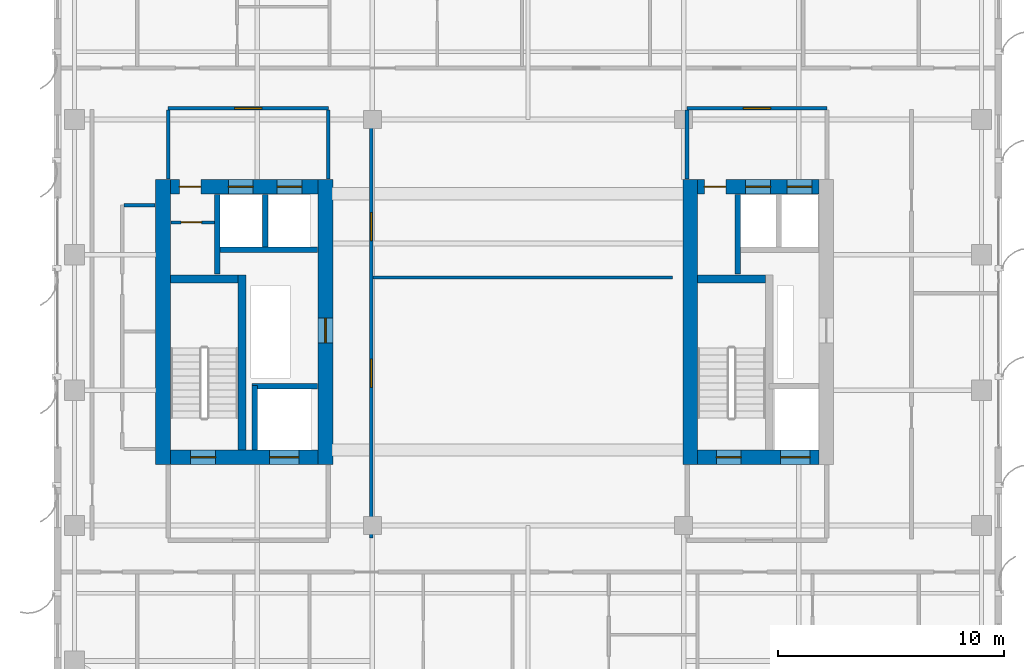
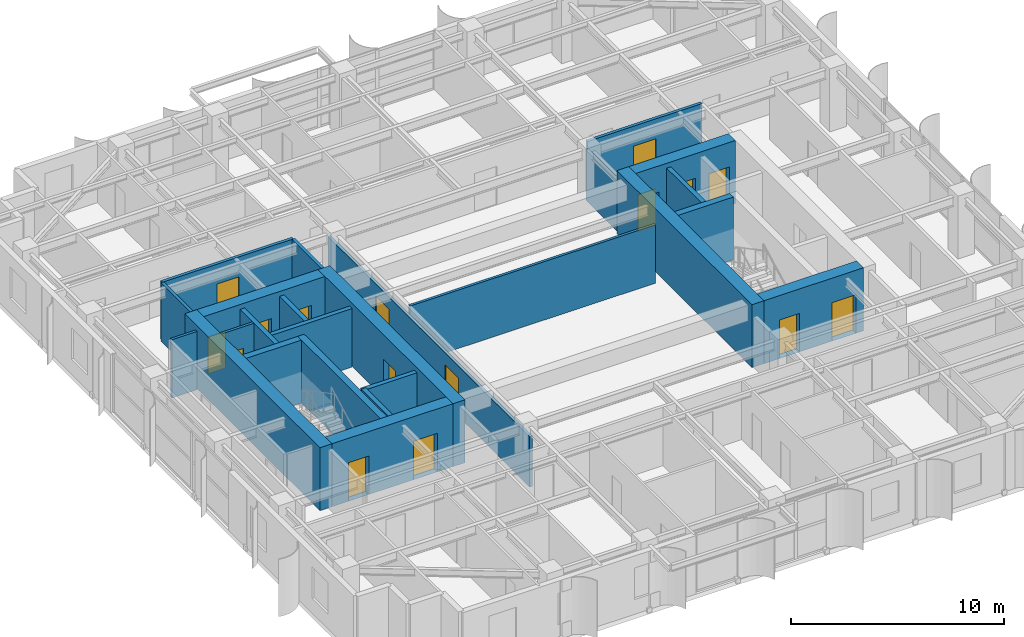
# One storey, part 15 of 21: 25 walls, 16 doors, 16 openings.
"""IFC4 building model written with IfcOpenShell, lengths in metres."""

from ifc_helpers import new_model, si_unit, direction, frame, frame_2d, origin, place, context, subcontext, project, spatial, rectangle, extrude, source, transform, mapped, material, layer, layer_set, type_object, element, fill, save


model = new_model("IFC4")

# Units and contexts
model_context = context("Model", 3, precision=1e-05, world=origin(), true_north=direction((0.0, 1.0)))
body_context = subcontext(model_context, "Body", "Model", "MODEL_VIEW")
ifc_project = project(units=[si_unit("LENGTHUNIT", "METRE"), si_unit("AREAUNIT", "SQUARE_METRE"), si_unit("VOLUMEUNIT", "CUBIC_METRE"), si_unit("PLANEANGLEUNIT", "RADIAN"), si_unit("MASSUNIT", "GRAM", prefix="KILO")], contexts=[model_context])

# Site, building, storey
site_placement = place(None, origin())
site = spatial("IfcSite", under=ifc_project, at=site_placement, CompositionType="ELEMENT")
building_placement = place(site_placement, origin())
building = spatial("IfcBuilding", under=site, at=building_placement, Name="Khoralis Quay Care Tower", CompositionType="ELEMENT")
storey_placement = place(building_placement, frame((0.0, 0.0, 159.300048828125)))
storey = spatial("IfcBuildingStorey", under=building, at=storey_placement, Name="L41", CompositionType="ELEMENT", Elevation=159.300048828125)

# Wall
ifc_material_1 = material(Name="Concrete C65/80", Category="concrete")
ifc_layer_1 = layer(ifc_material_1, 0.64990234375)
ifc_layer_set_1 = layer_set([ifc_layer_1], Name="Concrete C65/80")
wall_type_1 = type_object("IfcWallType", Name="WL-CORE-650", PredefinedType="SHEAR", material=ifc_layer_set_1)
wall_1_placement = place(storey_placement, frame((7.824951171875, 14.699951171875, 0.0), z_axis=(0.0, 0.0, 1.0), x_axis=(0.0, 1.0, 0.0)))
element("IfcWall", 1, at=wall_1_placement, inside=storey, type_object=wall_type_1, Name="L41 WCORE West Shear Wall", PredefinedType="SHEAR", context=body_context, shape_type="SweptSolid", body=[
    extrude(rectangle(XDim=12.650146484375, YDim=0.64990234375, at=frame_2d((6.3251953125, 0.0))), origin(), (0.0, 0.0, 1.0), 3.599853515625),
])

# Wall, opening, door
wall_2_placement = place(storey_placement, frame((15.02490234375, 14.699951171875, 0.0), z_axis=(0.0, 0.0, 1.0), x_axis=(0.0, 1.0, 0.0)))
wall_2 = element("IfcWall", 2, at=wall_2_placement, inside=storey, type_object=wall_type_1, Name="L41 WCORE East Shear Wall", PredefinedType="SHEAR", context=body_context, shape_type="SweptSolid", body=[
    extrude(rectangle(XDim=12.650146484375, YDim=0.64990234375, at=frame_2d((6.3251953125, 0.0))), origin(), (0.0, 0.0, 1.0), 3.599853515625),
])
opening_1_placement = place(wall_2_placement, frame((5.39990234375, 0.0, 0.0)))
opening_1 = element("IfcOpeningElement", 3, at=opening_1_placement, cuts=wall_2, Name="Opening SD1", PredefinedType="OPENING", context=body_context, shape_type="SweptSolid", body=[
    extrude(rectangle(XDim=1.10009765625, YDim=2.199951171875, at=frame_2d((0.550048828125, 1.10009765625))), frame((0.0, 0.3349609375, 0.0), z_axis=(0.0, -1.0, 0.0), x_axis=(1.0, 0.0, 0.0)), (0.0, 0.0, 1.0), 0.669921875),
])
ifc_material_2 = material(Name="Fire-rated painted steel", Category="steel")
door_type_1 = type_object("IfcDoorType", Name="DR-STAIR-1100X2200", OperationType="NOTDEFINED", PredefinedType="DOOR", material=ifc_material_2)
shared_shape_1 = source(origin(), body_context, "Body", "SweptSolid", [
    extrude(rectangle(XDim=1.10009765625, YDim=2.199951171875, at=frame_2d((0.550048828125, 1.10009765625))), frame((0.0, 0.02490234375, 0.0), z_axis=(0.0, -1.0, 0.0), x_axis=(1.0, 0.0, 0.0)), (0.0, 0.0, 1.0), 0.050048828125),
])
door_1_placement = place(opening_1_placement, origin())
door_1 = element("IfcDoor", 4, at=door_1_placement, inside=storey, type_object=door_type_1, Name="L41 West MEP Riser Door", OperationType="SINGLE_SWING_LEFT", OverallHeight=2.199951171875, OverallWidth=1.10009765625, PredefinedType="DOOR", context=body_context, shape_type="MappedRepresentation", body=[
    mapped(shared_shape_1, transform((0.0, 0.0, 0.0), scale=1.0)),
])
fill(opening_1, door_1)

# Wall, openings, doors
wall_3_placement = place(storey_placement, frame((8.14990234375, 15.02490234375, 0.0), z_axis=(0.0, 0.0, 1.0), x_axis=(1.0, 0.0, 0.0)))
wall_3 = element("IfcWall", 5, at=wall_3_placement, inside=storey, type_object=wall_type_1, Name="L41 WCORE South Shear Wall", PredefinedType="SHEAR", context=body_context, shape_type="SweptSolid", body=[
    extrude(rectangle(XDim=6.550048828125, YDim=0.64990234375, at=frame_2d((3.27490234375, 0.0))), origin(), (0.0, 0.0, 1.0), 3.599853515625),
])
opening_2_placement = place(wall_3_placement, frame((0.89990234375, 0.0, 0.0)))
opening_2 = element("IfcOpeningElement", 6, at=opening_2_placement, cuts=wall_3, Name="Opening SD1", PredefinedType="OPENING", context=body_context, shape_type="SweptSolid", body=[
    extrude(rectangle(XDim=1.10009765625, YDim=2.199951171875, at=frame_2d((0.550048828125, 1.10009765625))), frame((0.0, 0.3349609375, 0.0), z_axis=(0.0, -1.0, 0.0), x_axis=(1.0, 0.0, 0.0)), (0.0, 0.0, 1.0), 0.669921875),
])
opening_3_placement = place(wall_3_placement, frame((4.39990234375, 0.0, 0.0)))
opening_3 = element("IfcOpeningElement", 7, at=opening_3_placement, cuts=wall_3, Name="Opening LD2", PredefinedType="OPENING", context=body_context, shape_type="SweptSolid", body=[
    extrude(rectangle(XDim=1.300048828125, YDim=2.199951171875, at=frame_2d((0.64990234375, 1.10009765625))), frame((0.0, 0.3349609375, 0.0), z_axis=(0.0, -1.0, 0.0), x_axis=(1.0, 0.0, 0.0)), (0.0, 0.0, 1.0), 0.669921875),
])
door_2_placement = place(opening_2_placement, origin())
door_2 = element("IfcDoor", 8, at=door_2_placement, inside=storey, type_object=door_type_1, Name="L41 Stair ST-T1 Fire Door", OperationType="SINGLE_SWING_LEFT", OverallHeight=2.199951171875, OverallWidth=1.10009765625, PredefinedType="DOOR", context=body_context, shape_type="MappedRepresentation", body=[
    mapped(shared_shape_1, transform((0.0, 0.0, 0.0), scale=1.0)),
])
fill(opening_2, door_2)
ifc_material_3 = material(Name="Brushed stainless steel", Category="steel")
door_type_2 = type_object("IfcDoorType", Name="DR-LIFT-1300X2200", OperationType="SLIDING_TO_RIGHT", PredefinedType="DOOR", material=ifc_material_3)
shared_shape_2 = source(origin(), body_context, "Body", "SweptSolid", [
    extrude(rectangle(XDim=1.300048828125, YDim=2.199951171875, at=frame_2d((0.64990234375, 1.10009765625))), frame((0.0, 0.02490234375, 0.0), z_axis=(0.0, -1.0, 0.0), x_axis=(1.0, 0.0, 0.0)), (0.0, 0.0, 1.0), 0.050048828125),
])
door_3_placement = place(opening_3_placement, origin())
door_3 = element("IfcDoor", 9, at=door_3_placement, inside=storey, type_object=door_type_2, Name="L41 Firefighting Lift FFL-1 Landing Door", OperationType="SLIDING_TO_RIGHT", OverallHeight=2.199951171875, OverallWidth=1.300048828125, PredefinedType="DOOR", context=body_context, shape_type="MappedRepresentation", body=[
    mapped(shared_shape_2, transform((0.0, 0.0, 0.0), scale=1.0)),
])
fill(opening_3, door_3)

wall_4_placement = place(storey_placement, frame((8.14990234375, 27.02490234375, 0.0), z_axis=(0.0, 0.0, 1.0), x_axis=(1.0, 0.0, 0.0)))
wall_4 = element("IfcWall", 10, at=wall_4_placement, inside=storey, type_object=wall_type_1, Name="L41 WCORE North Shear Wall", PredefinedType="SHEAR", context=body_context, shape_type="SweptSolid", body=[
    extrude(rectangle(XDim=6.550048828125, YDim=0.64990234375, at=frame_2d((3.27490234375, 0.0))), origin(), (0.0, 0.0, 1.0), 3.599853515625),
])
opening_4_placement = place(wall_4_placement, frame((0.39990234375, 0.0, 0.0)))
opening_4 = element("IfcOpeningElement", 11, at=opening_4_placement, cuts=wall_4, Name="Opening ID1", PredefinedType="OPENING", context=body_context, shape_type="SweptSolid", body=[
    extrude(rectangle(XDim=0.949951171875, YDim=2.10009765625, at=frame_2d((0.47509765625, 1.050048828125))), frame((0.0, 0.3349609375, 0.0), z_axis=(0.0, -1.0, 0.0), x_axis=(1.0, 0.0, 0.0)), (0.0, 0.0, 1.0), 0.669921875),
])
opening_5_placement = place(wall_4_placement, frame((2.570068359375, 0.0, 0.0)))
opening_5 = element("IfcOpeningElement", 12, at=opening_5_placement, cuts=wall_4, Name="Opening LD1", PredefinedType="OPENING", context=body_context, shape_type="SweptSolid", body=[
    extrude(rectangle(XDim=1.10009765625, YDim=2.199951171875, at=frame_2d((0.550048828125, 1.10009765625))), frame((0.0, 0.3349609375, 0.0), z_axis=(0.0, -1.0, 0.0), x_axis=(1.0, 0.0, 0.0)), (0.0, 0.0, 1.0), 0.669921875),
])
opening_6_placement = place(wall_4_placement, frame((4.72998046875, 0.0, 0.0)))
opening_6 = element("IfcOpeningElement", 13, at=opening_6_placement, cuts=wall_4, Name="Opening LD1", PredefinedType="OPENING", context=body_context, shape_type="SweptSolid", body=[
    extrude(rectangle(XDim=1.10009765625, YDim=2.199951171875, at=frame_2d((0.550048828125, 1.10009765625))), frame((0.0, 0.3349609375, 0.0), z_axis=(0.0, -1.0, 0.0), x_axis=(1.0, 0.0, 0.0)), (0.0, 0.0, 1.0), 0.669921875),
])
door_type_3 = type_object("IfcDoorType", Name="DR-LIFT-1100X2200", OperationType="SLIDING_TO_LEFT", PredefinedType="DOOR", material=ifc_material_3)
shared_shape_3 = source(origin(), body_context, "Body", "SweptSolid", [
    extrude(rectangle(XDim=1.10009765625, YDim=2.199951171875, at=frame_2d((0.550048828125, 1.10009765625))), frame((0.0, 0.02490234375, 0.0), z_axis=(0.0, -1.0, 0.0), x_axis=(1.0, 0.0, 0.0)), (0.0, 0.0, 1.0), 0.050048828125),
])
door_4_placement = place(opening_5_placement, origin())
door_4 = element("IfcDoor", 14, at=door_4_placement, inside=storey, type_object=door_type_3, Name="L41 Lift PLM1 Landing Door", OperationType="SLIDING_TO_LEFT", OverallHeight=2.199951171875, OverallWidth=1.10009765625, PredefinedType="DOOR", context=body_context, shape_type="MappedRepresentation", body=[
    mapped(shared_shape_3, transform((0.0, 0.0, 0.0), scale=1.0)),
])
fill(opening_5, door_4)
door_5_placement = place(opening_6_placement, origin())
door_5 = element("IfcDoor", 15, at=door_5_placement, inside=storey, type_object=door_type_3, Name="L41 Lift PLH1 Landing Door", OperationType="SLIDING_TO_LEFT", OverallHeight=2.199951171875, OverallWidth=1.10009765625, PredefinedType="DOOR", context=body_context, shape_type="MappedRepresentation", body=[
    mapped(shared_shape_3, transform((0.0, 0.0, 0.0), scale=1.0)),
])
fill(opening_6, door_5)
ifc_material_4 = material(Name="Acoustic hardwood timber", Category="wood")
door_type_4 = type_object("IfcDoorType", Name="DR-ROOM-950X2100", OperationType="NOTDEFINED", PredefinedType="DOOR", material=ifc_material_4)
shared_shape_4 = source(origin(), body_context, "Body", "SweptSolid", [
    extrude(rectangle(XDim=0.949951171875, YDim=2.10009765625, at=frame_2d((0.47509765625, 1.050048828125))), frame((0.0, 0.02490234375, 0.0), z_axis=(0.0, -1.0, 0.0), x_axis=(1.0, 0.0, 0.0)), (0.0, 0.0, 1.0), 0.050048828125),
])
door_6_placement = place(opening_4_placement, frame((0.949951171875, 0.0, 0.0), z_axis=(0.0, 0.0, 1.0), x_axis=(-1.0, 0.0, 0.0)))
door_6 = element("IfcDoor", 16, at=door_6_placement, inside=storey, type_object=door_type_4, Name="L41 Medication Store Door", OperationType="SINGLE_SWING_LEFT", OverallHeight=2.10009765625, OverallWidth=0.949951171875, PredefinedType="DOOR", context=body_context, shape_type="MappedRepresentation", body=[
    mapped(shared_shape_4, transform((0.0, 0.0, 0.0), scale=1.0)),
])
fill(opening_4, door_6)

# Wall
wall_5_placement = place(storey_placement, frame((31.195068359375, 14.699951171875, 0.0), z_axis=(0.0, 0.0, 1.0), x_axis=(0.0, 1.0, 0.0)))
element("IfcWall", 17, at=wall_5_placement, inside=storey, type_object=wall_type_1, Name="L41 ECORE West Shear Wall", PredefinedType="SHEAR", context=body_context, shape_type="SweptSolid", body=[
    extrude(rectangle(XDim=12.650146484375, YDim=0.64990234375, at=frame_2d((6.3251953125, 0.0))), origin(), (0.0, 0.0, 1.0), 3.599853515625),
])

# Wall, openings, doors
wall_6_placement = place(storey_placement, frame((31.52001953125, 15.02490234375, 0.0), z_axis=(0.0, 0.0, 1.0), x_axis=(1.0, 0.0, 0.0)))
wall_6 = element("IfcWall", 18, at=wall_6_placement, inside=storey, type_object=wall_type_1, Name="L41 ECORE South Shear Wall", PredefinedType="SHEAR", context=body_context, shape_type="SweptSolid", body=[
    extrude(rectangle(XDim=5.3798828125, YDim=0.64990234375, at=frame_2d((2.68994140625, 0.0))), origin(), (0.0, 0.0, 1.0), 3.599853515625),
])
opening_7_placement = place(wall_6_placement, frame((0.830078125, 0.0, 0.0)))
opening_7 = element("IfcOpeningElement", 19, at=opening_7_placement, cuts=wall_6, Name="Opening SD1", PredefinedType="OPENING", context=body_context, shape_type="SweptSolid", body=[
    extrude(rectangle(XDim=1.10009765625, YDim=2.199951171875, at=frame_2d((0.550048828125, 1.10009765625))), frame((0.0, 0.3349609375, 0.0), z_axis=(0.0, -1.0, 0.0), x_axis=(1.0, 0.0, 0.0)), (0.0, 0.0, 1.0), 0.669921875),
])
opening_8_placement = place(wall_6_placement, frame((3.679931640625, 0.0, 0.0)))
opening_8 = element("IfcOpeningElement", 20, at=opening_8_placement, cuts=wall_6, Name="Opening LD2", PredefinedType="OPENING", context=body_context, shape_type="SweptSolid", body=[
    extrude(rectangle(XDim=1.300048828125, YDim=2.199951171875, at=frame_2d((0.64990234375, 1.10009765625))), frame((0.0, 0.3349609375, 0.0), z_axis=(0.0, -1.0, 0.0), x_axis=(1.0, 0.0, 0.0)), (0.0, 0.0, 1.0), 0.669921875),
])
door_7_placement = place(opening_7_placement, origin())
door_7 = element("IfcDoor", 21, at=door_7_placement, inside=storey, type_object=door_type_1, Name="L41 Stair ST-T2 Fire Door", OperationType="SINGLE_SWING_RIGHT", OverallHeight=2.199951171875, OverallWidth=1.10009765625, PredefinedType="DOOR", context=body_context, shape_type="MappedRepresentation", body=[
    mapped(shared_shape_1, transform((0.0, 0.0, 0.0), scale=1.0)),
])
fill(opening_7, door_7)
door_8_placement = place(opening_8_placement, origin())
door_8 = element("IfcDoor", 22, at=door_8_placement, inside=storey, type_object=door_type_2, Name="L41 Firefighting Lift FFL-2 Landing Door", OperationType="SLIDING_TO_RIGHT", OverallHeight=2.199951171875, OverallWidth=1.300048828125, PredefinedType="DOOR", context=body_context, shape_type="MappedRepresentation", body=[
    mapped(shared_shape_2, transform((0.0, 0.0, 0.0), scale=1.0)),
])
fill(opening_8, door_8)

wall_7_placement = place(storey_placement, frame((31.52001953125, 27.02490234375, 0.0), z_axis=(0.0, 0.0, 1.0), x_axis=(1.0, 0.0, 0.0)))
wall_7 = element("IfcWall", 23, at=wall_7_placement, inside=storey, type_object=wall_type_1, Name="L41 ECORE North Shear Wall", PredefinedType="SHEAR", context=body_context, shape_type="SweptSolid", body=[
    extrude(rectangle(XDim=5.3798828125, YDim=0.64990234375, at=frame_2d((2.68994140625, 0.0))), origin(), (0.0, 0.0, 1.0), 3.599853515625),
])
opening_9_placement = place(wall_7_placement, frame((0.300048828125, 0.0, 0.0)))
opening_9 = element("IfcOpeningElement", 24, at=opening_9_placement, cuts=wall_7, Name="Opening ID1", PredefinedType="OPENING", context=body_context, shape_type="SweptSolid", body=[
    extrude(rectangle(XDim=0.949951171875, YDim=2.10009765625, at=frame_2d((0.47509765625, 1.050048828125))), frame((0.0, 0.3349609375, 0.0), z_axis=(0.0, -1.0, 0.0), x_axis=(1.0, 0.0, 0.0)), (0.0, 0.0, 1.0), 0.669921875),
])
opening_10_placement = place(wall_7_placement, frame((2.1298828125, 0.0, 0.0)))
opening_10 = element("IfcOpeningElement", 25, at=opening_10_placement, cuts=wall_7, Name="Opening LD1", PredefinedType="OPENING", context=body_context, shape_type="SweptSolid", body=[
    extrude(rectangle(XDim=1.10009765625, YDim=2.199951171875, at=frame_2d((0.550048828125, 1.10009765625))), frame((0.0, 0.3349609375, 0.0), z_axis=(0.0, -1.0, 0.0), x_axis=(1.0, 0.0, 0.0)), (0.0, 0.0, 1.0), 0.669921875),
])
opening_11_placement = place(wall_7_placement, frame((3.9599609375, 0.0, 0.0)))
opening_11 = element("IfcOpeningElement", 26, at=opening_11_placement, cuts=wall_7, Name="Opening LD1", PredefinedType="OPENING", context=body_context, shape_type="SweptSolid", body=[
    extrude(rectangle(XDim=1.10009765625, YDim=2.199951171875, at=frame_2d((0.550048828125, 1.10009765625))), frame((0.0, 0.3349609375, 0.0), z_axis=(0.0, -1.0, 0.0), x_axis=(1.0, 0.0, 0.0)), (0.0, 0.0, 1.0), 0.669921875),
])
door_9_placement = place(opening_10_placement, origin())
door_9 = element("IfcDoor", 27, at=door_9_placement, inside=storey, type_object=door_type_3, Name="L41 Lift PLM2 Landing Door", OperationType="SLIDING_TO_LEFT", OverallHeight=2.199951171875, OverallWidth=1.10009765625, PredefinedType="DOOR", context=body_context, shape_type="MappedRepresentation", body=[
    mapped(shared_shape_3, transform((0.0, 0.0, 0.0), scale=1.0)),
])
fill(opening_10, door_9)
door_10_placement = place(opening_11_placement, origin())
door_10 = element("IfcDoor", 28, at=door_10_placement, inside=storey, type_object=door_type_3, Name="L41 Lift PLH2 Landing Door", OperationType="SLIDING_TO_LEFT", OverallHeight=2.199951171875, OverallWidth=1.10009765625, PredefinedType="DOOR", context=body_context, shape_type="MappedRepresentation", body=[
    mapped(shared_shape_3, transform((0.0, 0.0, 0.0), scale=1.0)),
])
fill(opening_11, door_10)
door_11_placement = place(opening_9_placement, frame((0.949951171875, 0.0, 0.0), z_axis=(0.0, 0.0, 1.0), x_axis=(-1.0, 0.0, 0.0)))
door_11 = element("IfcDoor", 29, at=door_11_placement, inside=storey, type_object=door_type_4, Name="L41 Nutrition Pantry Door", OperationType="SINGLE_SWING_RIGHT", OverallHeight=2.10009765625, OverallWidth=0.949951171875, PredefinedType="DOOR", context=body_context, shape_type="MappedRepresentation", body=[
    mapped(shared_shape_4, transform((0.0, 0.0, 0.0), scale=1.0)),
])
fill(opening_9, door_11)

# Wall, opening, door
ifc_material_5 = material(Name="Gypsum plasterboard on acoustic metal stud")
ifc_layer_2 = layer(ifc_material_5, 0.1650390625)
ifc_layer_set_2 = layer_set([ifc_layer_2], Name="Gypsum plasterboard on acoustic metal stud")
wall_type_2 = type_object("IfcWallType", Name="WL-CORR-165", PredefinedType="PARTITIONING", material=ifc_layer_set_2)
wall_8_placement = place(storey_placement, frame((8.050048828125, 30.5, 0.0), z_axis=(0.0, 0.0, 1.0), x_axis=(1.0, 0.0, 0.0)))
wall_8 = element("IfcWall", 30, at=wall_8_placement, inside=storey, type_object=wall_type_2, Name="L41 West Lift Lobby North Wall", PredefinedType="PARTITIONING", context=body_context, shape_type="SweptSolid", body=[
    extrude(rectangle(XDim=7.099853515625, YDim=0.1650390625, at=frame_2d((3.5498046875, 0.0))), origin(), (0.0, 0.0, 1.0), 3.33984375),
])
opening_12_placement = place(wall_8_placement, frame((2.949951171875, 0.0, 0.0)))
opening_12 = element("IfcOpeningElement", 31, at=opening_12_placement, cuts=wall_8, Name="Opening FD1", PredefinedType="OPENING", context=body_context, shape_type="SweptSolid", body=[
    extrude(rectangle(XDim=1.199951171875, YDim=2.199951171875, at=frame_2d((0.60009765625, 1.10009765625))), frame((0.0, 0.092529296875, 0.0), z_axis=(0.0, -1.0, 0.0), x_axis=(1.0, 0.0, 0.0)), (0.0, 0.0, 1.0), 0.18505859375),
])
door_type_5 = type_object("IfcDoorType", Name="DR-FFL-1200X2200", OperationType="NOTDEFINED", PredefinedType="DOOR", material=ifc_material_2)
shared_shape_5 = source(origin(), body_context, "Body", "SweptSolid", [
    extrude(rectangle(XDim=1.199951171875, YDim=2.199951171875, at=frame_2d((0.60009765625, 1.10009765625))), frame((0.0, 0.02490234375, 0.0), z_axis=(0.0, -1.0, 0.0), x_axis=(1.0, 0.0, 0.0)), (0.0, 0.0, 1.0), 0.050048828125),
])
door_12_placement = place(opening_12_placement, origin())
door_12 = element("IfcDoor", 32, at=door_12_placement, inside=storey, type_object=door_type_5, Name="L41 West Lift Lobby Double Door", OperationType="DOUBLE_DOOR_SINGLE_SWING", OverallHeight=2.199951171875, OverallWidth=1.199951171875, PredefinedType="DOOR", context=body_context, shape_type="MappedRepresentation", body=[
    mapped(shared_shape_5, transform((0.0, 0.0, 0.0), scale=1.0)),
])
fill(opening_12, door_12)

# Walls
for number, where, z_axis, x_axis, name in (
    (33, (8.050048828125, 27.3701171875, 0.0), (0.0, 0.0, 1.0), (0.0, 1.0, 0.0), "L41 West Lift Lobby West Wall"),
    (34, (15.14990234375, 27.3701171875, 0.0), (0.0, 0.0, 1.0), (0.0, 1.0, 0.0), "L41 West Lift Lobby East Wall"),
):
    element("IfcWall", number, at=place(storey_placement, frame(where, z_axis=z_axis, x_axis=x_axis)), inside=storey, type_object=wall_type_2, Name=name, PredefinedType="PARTITIONING", context=body_context, shape_type="SweptSolid", body=[
        extrude(rectangle(XDim=3.052490234375, YDim=0.1650390625, at=frame_2d((1.5263671875, 0.0))), origin(), (0.0, 0.0, 1.0), 3.33984375),
    ])

# Wall, opening, door
wall_9_placement = place(storey_placement, frame((31.050048828125, 30.5, 0.0), z_axis=(0.0, 0.0, 1.0), x_axis=(1.0, 0.0, 0.0)))
wall_9 = element("IfcWall", 35, at=wall_9_placement, inside=storey, type_object=wall_type_2, Name="L41 East Lift Lobby North Wall", PredefinedType="PARTITIONING", context=body_context, shape_type="SweptSolid", body=[
    extrude(rectangle(XDim=6.199951171875, YDim=0.1650390625, at=frame_2d((3.10009765625, 0.0))), origin(), (0.0, 0.0, 1.0), 3.33984375),
])
opening_13_placement = place(wall_9_placement, frame((2.5, 0.0, 0.0)))
opening_13 = element("IfcOpeningElement", 36, at=opening_13_placement, cuts=wall_9, Name="Opening FD1", PredefinedType="OPENING", context=body_context, shape_type="SweptSolid", body=[
    extrude(rectangle(XDim=1.199951171875, YDim=2.199951171875, at=frame_2d((0.60009765625, 1.10009765625))), frame((0.0, 0.092529296875, 0.0), z_axis=(0.0, -1.0, 0.0), x_axis=(1.0, 0.0, 0.0)), (0.0, 0.0, 1.0), 0.18505859375),
])
door_13_placement = place(opening_13_placement, origin())
door_13 = element("IfcDoor", 37, at=door_13_placement, inside=storey, type_object=door_type_5, Name="L41 East Lift Lobby Double Door", OperationType="DOUBLE_DOOR_SINGLE_SWING", OverallHeight=2.199951171875, OverallWidth=1.199951171875, PredefinedType="DOOR", context=body_context, shape_type="MappedRepresentation", body=[
    mapped(shared_shape_5, transform((0.0, 0.0, 0.0), scale=1.0)),
])
fill(opening_13, door_13)

# Wall
wall_10_placement = place(storey_placement, frame((31.050048828125, 27.3701171875, 0.0), z_axis=(0.0, 0.0, 1.0), x_axis=(0.0, 1.0, 0.0)))
element("IfcWall", 38, at=wall_10_placement, inside=storey, type_object=wall_type_2, Name="L41 East Lift Lobby West Wall", PredefinedType="PARTITIONING", context=body_context, shape_type="SweptSolid", body=[
    extrude(rectangle(XDim=3.052490234375, YDim=0.1650390625, at=frame_2d((1.5263671875, 0.0))), origin(), (0.0, 0.0, 1.0), 2.876953125),
])

# Wall, openings, doors
wall_11_placement = place(storey_placement, frame((17.050048828125, 11.449951171875, 0.0), z_axis=(0.0, 0.0, 1.0), x_axis=(0.0, 1.0, 0.0)))
wall_11 = element("IfcWall", 39, at=wall_11_placement, inside=storey, type_object=wall_type_2, Name="L41 West Portal Spine Wall", PredefinedType="PARTITIONING", context=body_context, shape_type="SweptSolid", body=[
    extrude(rectangle(XDim=18.900146484375, YDim=0.1650390625, at=frame_2d((9.4501953125, 0.0))), origin(), (0.0, 0.0, 1.0), 2.876953125),
])
opening_14_placement = place(wall_11_placement, frame((6.675048828125, 0.0, 0.0)))
opening_14 = element("IfcOpeningElement", 40, at=opening_14_placement, cuts=wall_11, Name="Opening CD1", PredefinedType="OPENING", context=body_context, shape_type="SweptSolid", body=[
    extrude(rectangle(XDim=1.25, YDim=2.199951171875, at=frame_2d((0.625, 1.10009765625))), frame((0.0, 0.092529296875, 0.0), z_axis=(0.0, -1.0, 0.0), x_axis=(1.0, 0.0, 0.0)), (0.0, 0.0, 1.0), 0.18505859375),
])
opening_15_placement = place(wall_11_placement, frame((13.175048828125, 0.0, 0.0)))
opening_15 = element("IfcOpeningElement", 41, at=opening_15_placement, cuts=wall_11, Name="Opening CD1", PredefinedType="OPENING", context=body_context, shape_type="SweptSolid", body=[
    extrude(rectangle(XDim=1.25, YDim=2.199951171875, at=frame_2d((0.625, 1.10009765625))), frame((0.0, 0.092529296875, 0.0), z_axis=(0.0, -1.0, 0.0), x_axis=(1.0, 0.0, 0.0)), (0.0, 0.0, 1.0), 0.18505859375),
])
door_type_6 = type_object("IfcDoorType", Name="DR-CARE-1250X2200", OperationType="NOTDEFINED", PredefinedType="DOOR", material=ifc_material_4)
shared_shape_6 = source(origin(), body_context, "Body", "SweptSolid", [
    extrude(rectangle(XDim=1.25, YDim=2.199951171875, at=frame_2d((0.625, 1.10009765625))), frame((0.0, 0.02490234375, 0.0), z_axis=(0.0, -1.0, 0.0), x_axis=(1.0, 0.0, 0.0)), (0.0, 0.0, 1.0), 0.050048828125),
])
door_14_placement = place(opening_14_placement, origin())
door_14 = element("IfcDoor", 42, at=door_14_placement, inside=storey, type_object=door_type_6, Name="L41 Nurse Station Door", OperationType="SINGLE_SWING_LEFT", OverallHeight=2.199951171875, OverallWidth=1.25, PredefinedType="DOOR", context=body_context, shape_type="MappedRepresentation", body=[
    mapped(shared_shape_6, transform((0.0, 0.0, 0.0), scale=1.0)),
])
fill(opening_14, door_14)
door_15_placement = place(opening_15_placement, origin())
door_15 = element("IfcDoor", 43, at=door_15_placement, inside=storey, type_object=door_type_6, Name="L41 Activity Hall Door", OperationType="SINGLE_SWING_RIGHT", OverallHeight=2.199951171875, OverallWidth=1.25, PredefinedType="DOOR", context=body_context, shape_type="MappedRepresentation", body=[
    mapped(shared_shape_6, transform((0.0, 0.0, 0.0), scale=1.0)),
])
fill(opening_15, door_15)

# Walls
ifc_material_6 = material(Name="Concrete C40/50", Category="concrete")
ifc_layer_3 = layer(ifc_material_6, 0.35009765625)
ifc_layer_set_3 = layer_set([ifc_layer_3], Name="Concrete C40/50")
wall_type_3 = type_object("IfcWallType", Name="WL-SC-CORE-350", PredefinedType="SHEAR", material=ifc_layer_set_3)
wall_12_placement = place(storey_placement, frame((11.324951171875, 15.35009765625, 0.0), z_axis=(0.0, 0.0, 1.0), x_axis=(0.0, 1.0, 0.0)))
element("IfcWall", 44, at=wall_12_placement, inside=storey, type_object=wall_type_3, Name="L41 Stair ST-T1 Shear Baffle Wall East", PredefinedType="SHEAR", context=body_context, shape_type="SweptSolid", body=[
    extrude(rectangle(XDim=7.75, YDim=0.35009765625, at=frame_2d((3.875, 0.0))), origin(), (0.0, 0.0, 1.0), 3.599853515625),
])
for number, where, z_axis, x_axis, name in (
    (45, (8.14990234375, 22.925048828125, 0.0), (0.0, 0.0, 1.0), (1.0, 0.0, 0.0), "L41 Stair ST-T1 Shear Baffle Wall North"),
    (46, (31.52001953125, 22.925048828125, 0.0), (0.0, 0.0, 1.0), (1.0, 0.0, 0.0), "L41 Stair ST-T2 Shear Baffle Wall North"),
):
    element("IfcWall", number, at=place(storey_placement, frame(where, z_axis=z_axis, x_axis=x_axis)), inside=storey, type_object=wall_type_3, Name=name, PredefinedType="SHEAR", context=body_context, shape_type="SweptSolid", body=[
        extrude(rectangle(XDim=3.0, YDim=0.35009765625, at=frame_2d((1.5, 0.0))), origin(), (0.0, 0.0, 1.0), 3.599853515625),
    ])
ifc_layer_4 = layer(ifc_material_5, 0.239990234375)
ifc_layer_set_4 = layer_set([ifc_layer_4], Name="Gypsum plasterboard on acoustic metal stud")
wall_type_4 = type_object("IfcWallType", Name="WL-SHAFT-240", PredefinedType="PARTITIONING", material=ifc_layer_set_4)
wall_13_placement = place(storey_placement, frame((11.8798828125, 15.35009765625, 0.0), z_axis=(0.0, 0.0, 1.0), x_axis=(0.0, 1.0, 0.0)))
element("IfcWall", 47, at=wall_13_placement, inside=storey, type_object=wall_type_4, Name="L41 FFL-1 Shaft Wall West", PredefinedType="PARTITIONING", context=body_context, shape_type="SweptSolid", body=[
    extrude(rectangle(XDim=2.849853515625, YDim=0.239990234375, at=frame_2d((1.4248046875, 0.0))), origin(), (0.0, 0.0, 1.0), 3.33984375),
])
wall_14_placement = place(storey_placement, frame((11.760009765625, 18.169921875, 0.0), z_axis=(0.0, 0.0, 1.0), x_axis=(1.0, 0.0, 0.0)))
element("IfcWall", 48, at=wall_14_placement, inside=storey, type_object=wall_type_4, Name="L41 FFL-1 Shaft Wall North", PredefinedType="PARTITIONING", context=body_context, shape_type="SweptSolid", body=[
    extrude(rectangle(XDim=2.919921875, YDim=0.239990234375, at=frame_2d((1.4599609375, 0.0))), origin(), (0.0, 0.0, 1.0), 3.33984375),
])
wall_15_placement = place(storey_placement, frame((10.219970703125, 23.139892578125, 0.0), z_axis=(0.0, 0.0, 1.0), x_axis=(0.0, 1.0, 0.0)))
element("IfcWall", 49, at=wall_15_placement, inside=storey, type_object=wall_type_4, Name="L41 Reclaimed Bay Divider West", PredefinedType="PARTITIONING", context=body_context, shape_type="SweptSolid", body=[
    extrude(rectangle(XDim=3.5400390625, YDim=0.239990234375, at=frame_2d((1.77001953125, 0.0))), origin(), (0.0, 0.0, 1.0), 3.33984375),
])
wall_16_placement = place(storey_placement, frame((10.3349609375, 24.22998046875, 0.0), z_axis=(0.0, 0.0, 1.0), x_axis=(1.0, 0.0, 0.0)))
element("IfcWall", 50, at=wall_16_placement, inside=storey, type_object=wall_type_4, Name="L41 Active Shaft South Wall West", PredefinedType="PARTITIONING", context=body_context, shape_type="SweptSolid", body=[
    extrude(rectangle(XDim=4.344970703125, YDim=0.239990234375, at=frame_2d((2.17236328125, 0.0))), origin(), (0.0, 0.0, 1.0), 3.33984375),
])
wall_17_placement = place(storey_placement, frame((12.35009765625, 24.344970703125, 0.0), z_axis=(0.0, 0.0, 1.0), x_axis=(0.0, 1.0, 0.0)))
element("IfcWall", 51, at=wall_17_placement, inside=storey, type_object=wall_type_4, Name="L41 West Shaft Divider 2", PredefinedType="PARTITIONING", context=body_context, shape_type="SweptSolid", body=[
    extrude(rectangle(XDim=2.3349609375, YDim=0.239990234375, at=frame_2d((1.16748046875, 0.0))), origin(), (0.0, 0.0, 1.0), 3.33984375),
])
wall_18_placement = place(storey_placement, frame((33.2900390625, 23.139892578125, 0.0), z_axis=(0.0, 0.0, 1.0), x_axis=(0.0, 1.0, 0.0)))
element("IfcWall", 52, at=wall_18_placement, inside=storey, type_object=wall_type_4, Name="L41 Reclaimed Bay Divider East", PredefinedType="PARTITIONING", context=body_context, shape_type="SweptSolid", body=[
    extrude(rectangle(XDim=3.5400390625, YDim=0.239990234375, at=frame_2d((1.77001953125, 0.0))), origin(), (0.0, 0.0, 1.0), 3.33984375),
])

# Wall, opening, door
ifc_layer_5 = layer(ifc_material_5, 0.139892578125)
ifc_layer_set_5 = layer_set([ifc_layer_5], Name="Gypsum plasterboard on acoustic metal stud")
wall_type_5 = type_object("IfcWallType", Name="WL-UNIT-140", PredefinedType="PARTITIONING", material=ifc_layer_set_5)
wall_19_placement = place(storey_placement, frame((8.179931640625, 25.43994140625, 0.0), z_axis=(0.0, 0.0, 1.0), x_axis=(1.0, 0.0, 0.0)))
wall_19 = element("IfcWall", 53, at=wall_19_placement, inside=storey, type_object=wall_type_5, Name="L41 West Reclaimed Split Wall", PredefinedType="PARTITIONING", context=body_context, shape_type="SweptSolid", body=[
    extrude(rectangle(XDim=1.925048828125, YDim=0.139892578125, at=frame_2d((0.96240234375, 0.0))), origin(), (0.0, 0.0, 1.0), 3.33984375),
])
opening_16_placement = place(wall_19_placement, frame((0.449951171875, 0.0, 0.0)))
opening_16 = element("IfcOpeningElement", 54, at=opening_16_placement, cuts=wall_19, Name="Opening WD1", PredefinedType="OPENING", context=body_context, shape_type="SweptSolid", body=[
    extrude(rectangle(XDim=0.89990234375, YDim=2.10009765625, at=frame_2d((0.449951171875, 1.050048828125))), frame((0.0, 0.080078125, 0.0), z_axis=(0.0, -1.0, 0.0), x_axis=(1.0, 0.0, 0.0)), (0.0, 0.0, 1.0), 0.159912109375),
])
door_type_7 = type_object("IfcDoorType", Name="DR-BATH-900X2100", OperationType="NOTDEFINED", PredefinedType="DOOR", material=ifc_material_4)
shared_shape_7 = source(origin(), body_context, "Body", "SweptSolid", [
    extrude(rectangle(XDim=0.89990234375, YDim=2.10009765625, at=frame_2d((0.449951171875, 1.050048828125))), frame((0.0, 0.02490234375, 0.0), z_axis=(0.0, -1.0, 0.0), x_axis=(1.0, 0.0, 0.0)), (0.0, 0.0, 1.0), 0.050048828125),
])
door_16_placement = place(opening_16_placement, frame((0.89990234375, 0.0, 0.0), z_axis=(0.0, 0.0, 1.0), x_axis=(-1.0, 0.0, 0.0)))
door_16 = element("IfcDoor", 55, at=door_16_placement, inside=storey, type_object=door_type_7, Name="L41 Clean Linen Store Door", OperationType="SINGLE_SWING_LEFT", OverallHeight=2.10009765625, OverallWidth=0.89990234375, PredefinedType="DOOR", context=body_context, shape_type="MappedRepresentation", body=[
    mapped(shared_shape_7, transform((0.0, 0.0, 0.0), scale=1.0)),
])
fill(opening_16, door_16)

# Walls
wall_20_placement = place(storey_placement, frame((6.097412109375, 26.199951171875, 0.0), z_axis=(0.0, 0.0, 1.0), x_axis=(1.0, 0.0, 0.0)))
element("IfcWall", 56, at=wall_20_placement, inside=storey, type_object=wall_type_5, Name="L41 West Flank North Cap", PredefinedType="PARTITIONING", context=body_context, shape_type="SweptSolid", body=[
    extrude(rectangle(XDim=1.362548828125, YDim=0.139892578125, at=frame_2d((0.68115234375, 0.0))), origin(), (0.0, 0.0, 1.0), 3.33984375),
])
wall_21_placement = place(storey_placement, frame((17.12744140625, 23.0, 0.0), z_axis=(0.0, 0.0, 1.0), x_axis=(1.0, 0.0, 0.0)))
element("IfcWall", 57, at=wall_21_placement, inside=storey, type_object=wall_type_5, Name="L41 Central Split", PredefinedType="PARTITIONING", context=body_context, shape_type="SweptSolid", body=[
    extrude(rectangle(XDim=13.2724609375, YDim=0.139892578125, at=frame_2d((6.63623046875, 0.0))), origin(), (0.0, 0.0, 1.0), 3.33984375),
])

save(model, "model.ifc")
